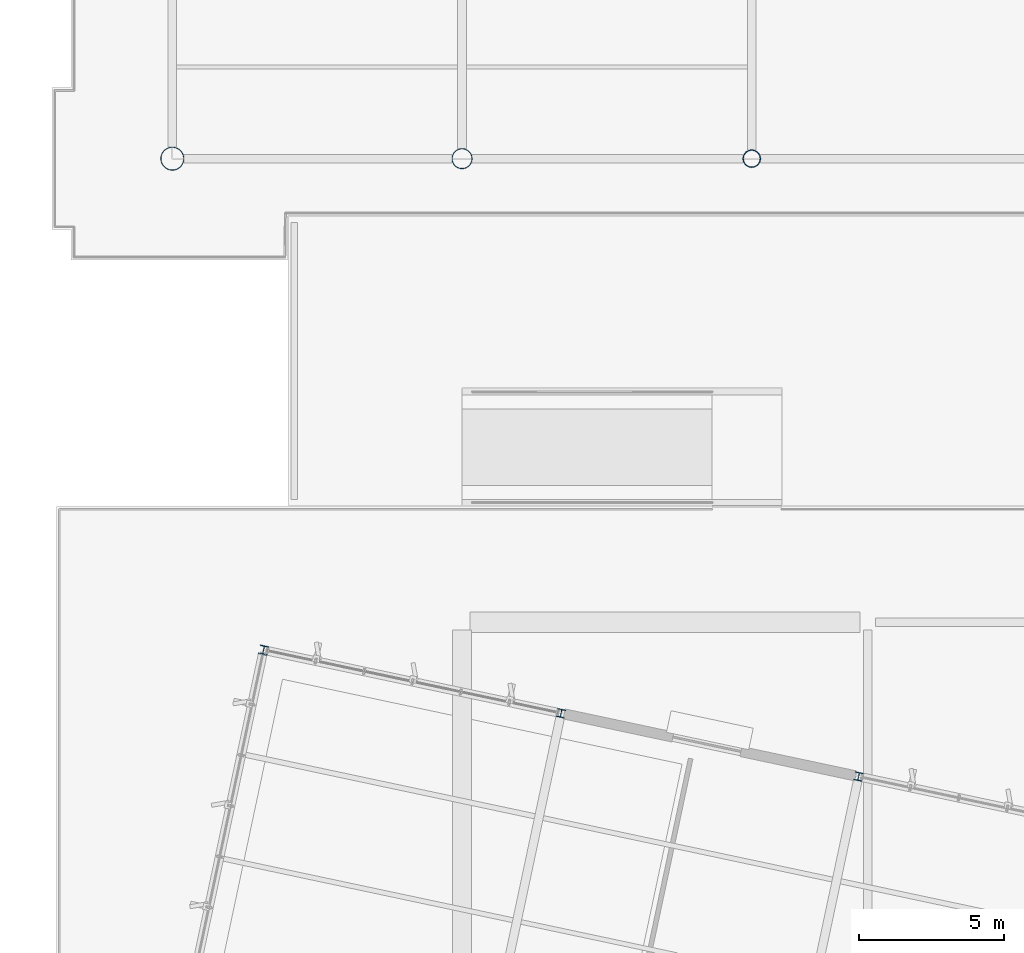
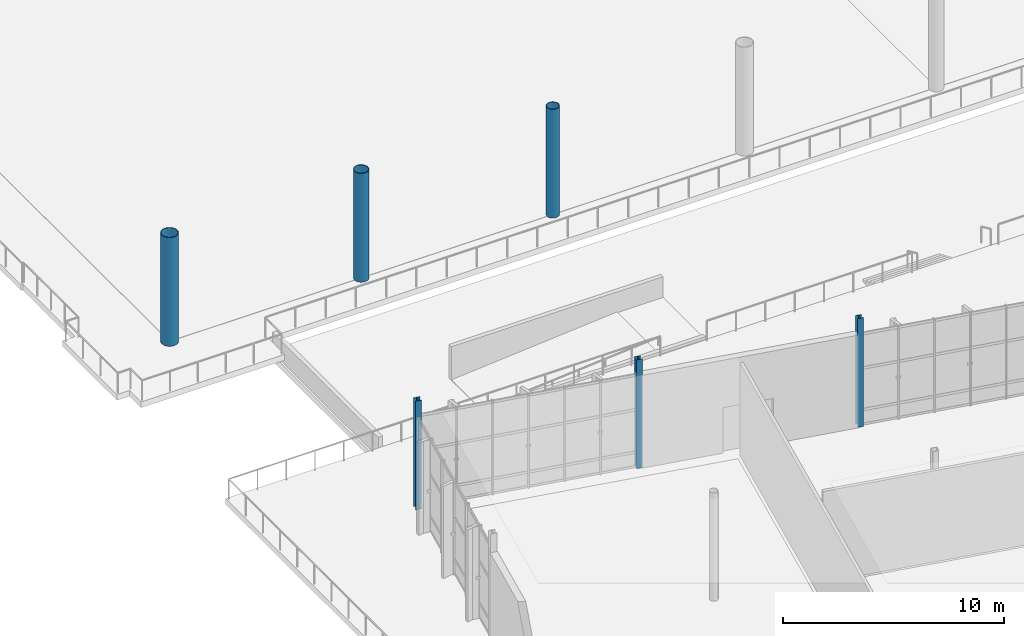
# One storey, part 9 of 163: 6 columns.
"""IFC4 building model written with IfcOpenShell, lengths in metres."""

from ifc_helpers import new_model, si_unit, direction, frame, origin, origin_2d, place, context, subcontext, project, spatial, hollow_circle, i_section, extrude, material, material_profile, profile_set, type_object, element, save


model = new_model("IFC4")

# Units and contexts
model_context = context("Model", 3, precision=1e-05, world=origin(), true_north=direction((0.0, 1.0)))
body_context = subcontext(model_context, "Body", "Model", "MODEL_VIEW")
ifc_project = project(units=[si_unit("LENGTHUNIT", "METRE"), si_unit("AREAUNIT", "SQUARE_METRE"), si_unit("VOLUMEUNIT", "CUBIC_METRE"), si_unit("PLANEANGLEUNIT", "RADIAN"), si_unit("MASSUNIT", "GRAM", prefix="KILO")], contexts=[model_context])

# Site, building, storey
site_placement = place(None, origin())
site = spatial("IfcSite", under=ifc_project, at=site_placement, CompositionType="ELEMENT")
building_placement = place(site_placement, origin())
building = spatial("IfcBuilding", under=site, at=building_placement, Name="Khorjan Park Terminus", CompositionType="ELEMENT")
storey_placement = place(building_placement, origin())
storey = spatial("IfcBuildingStorey", under=building, at=storey_placement, Name="L00", CompositionType="ELEMENT", Elevation=0.0)

# Columns
ifc_material = material(Name="Steel S355", Category="steel")
ifc_material_profile_1 = material_profile(ifc_material, i_section(OverallWidth=0.28, OverallDepth=0.28, WebThickness=0.0105, FlangeThickness=0.018, FilletRadius=0.024, at=origin_2d()), Name="HEB 280")
ifc_profile_set_1 = profile_set([ifc_material_profile_1], Name="Steel S355")
column_type_1 = type_object("IfcColumnType", Name="COL-HB280E", PredefinedType="COLUMN", material=ifc_profile_set_1)
for number, where, z_axis, x_axis, name in (
    (1, (13.419, 82.855, 0.0), (0.0, 0.0, 1.0), (0.978147600734, -0.207911690818, 0.0), "Structural column SC-H28 (L00 #623)"),
    (2, (23.689, 80.672, 0.0), (0.0, 0.0, 1.0), (0.978147600734, -0.207911690818, 0.0), "Structural column SC-H28 (L00 #637)"),
):
    element("IfcColumn", number, at=place(storey_placement, frame(where, z_axis=z_axis, x_axis=x_axis)), inside=storey, type_object=column_type_1, Name=name, PredefinedType="COLUMN", context=body_context, shape_type="SweptSolid", body=[
        extrude(i_section(OverallWidth=0.28, OverallDepth=0.28, WebThickness=0.0105, FlangeThickness=0.018, FilletRadius=0.024, at=origin_2d()), origin(), (0.0, 0.0, 1.0), 6.0),
    ])
ifc_material_profile_2 = material_profile(ifc_material, i_section(OverallWidth=0.3, OverallDepth=0.3, WebThickness=0.011, FlangeThickness=0.019, FilletRadius=0.027, at=origin_2d()), Name="HEB 300")
ifc_profile_set_2 = profile_set([ifc_material_profile_2], Name="Steel S355")
column_type_2 = type_object("IfcColumnType", Name="COL-HB300E", PredefinedType="COLUMN", material=ifc_profile_set_2)
column_1_placement = place(storey_placement, frame((3.148, 85.038, 0.0), z_axis=(0.0, 0.0, 1.0), x_axis=(0.978147600734, -0.207911690818, 0.0)))
element("IfcColumn", 3, at=column_1_placement, inside=storey, type_object=column_type_2, Name="Structural column SC-H30 (L00 #609)", PredefinedType="COLUMN", context=body_context, shape_type="SweptSolid", body=[
    extrude(i_section(OverallWidth=0.3, OverallDepth=0.3, WebThickness=0.011, FlangeThickness=0.019, FilletRadius=0.027, at=origin_2d()), origin(), (0.0, 0.0, 1.0), 6.0),
])
ifc_material_profile_3 = material_profile(ifc_material, hollow_circle(Radius=0.305, WallThickness=0.02, at=origin_2d()), Name="CHS 610x20")
ifc_profile_set_3 = profile_set([ifc_material_profile_3], Name="Steel S355")
column_type_3 = type_object("IfcColumnType", Name="COL-SH610E", PredefinedType="COLUMN", material=ifc_profile_set_3)
column_2_placement = place(storey_placement, frame((20.0, 102.0, 0.0), z_axis=(0.0, 0.0, 1.0), x_axis=(1.0, 0.0, 0.0)))
element("IfcColumn", 4, at=column_2_placement, inside=storey, type_object=column_type_3, Name="Structural column SC-61 (L00 #26)", PredefinedType="COLUMN", context=body_context, shape_type="SweptSolid", body=[
    extrude(hollow_circle(Radius=0.305, WallThickness=0.02, at=origin_2d()), origin(), (0.0, 0.0, 1.0), 6.0),
])
ifc_material_profile_4 = material_profile(ifc_material, hollow_circle(Radius=0.3555, WallThickness=0.025, at=origin_2d()), Name="CHS 711x25")
ifc_profile_set_4 = profile_set([ifc_material_profile_4], Name="Steel S355")
column_type_4 = type_object("IfcColumnType", Name="COL-SH711E", PredefinedType="COLUMN", material=ifc_profile_set_4)
column_3_placement = place(storey_placement, frame((10.0, 102.0, 0.0), z_axis=(0.0, 0.0, 1.0), x_axis=(1.0, 0.0, 0.0)))
element("IfcColumn", 5, at=column_3_placement, inside=storey, type_object=column_type_4, Name="Structural column SC-71 (L00 #14)", PredefinedType="COLUMN", context=body_context, shape_type="SweptSolid", body=[
    extrude(hollow_circle(Radius=0.3555, WallThickness=0.025, at=origin_2d()), origin(), (0.0, 0.0, 1.0), 6.0),
])
ifc_material_profile_5 = material_profile(ifc_material, hollow_circle(Radius=0.4065, WallThickness=0.025, at=origin_2d()), Name="CHS 813x25")
ifc_profile_set_5 = profile_set([ifc_material_profile_5], Name="Steel S355")
column_type_5 = type_object("IfcColumnType", Name="COL-SH813E", PredefinedType="COLUMN", material=ifc_profile_set_5)
column_4_placement = place(storey_placement, frame((0.0, 102.0, 0.0), z_axis=(0.0, 0.0, 1.0), x_axis=(1.0, 0.0, 0.0)))
element("IfcColumn", 6, at=column_4_placement, inside=storey, type_object=column_type_5, Name="Structural column SC-81 (L00 #2)", PredefinedType="COLUMN", context=body_context, shape_type="SweptSolid", body=[
    extrude(hollow_circle(Radius=0.4065, WallThickness=0.025, at=origin_2d()), origin(), (0.0, 0.0, 1.0), 6.0),
])

save(model, "model.ifc")
